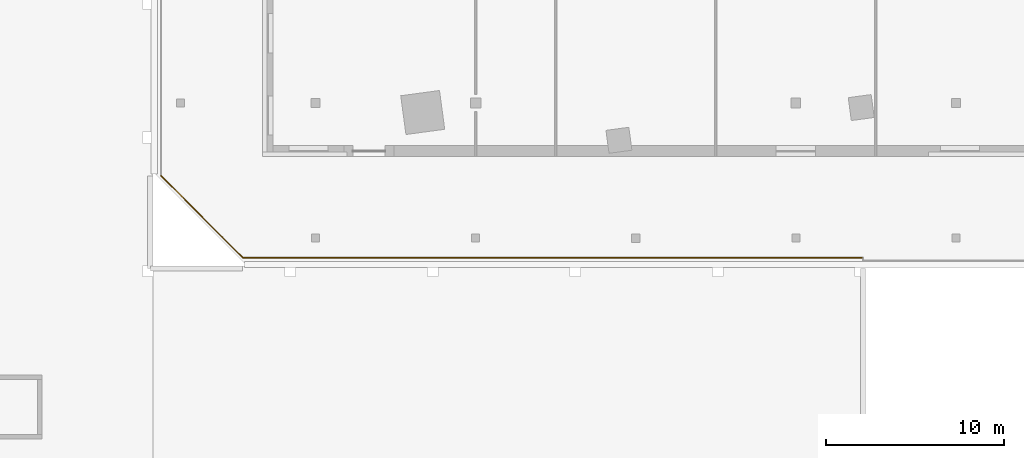
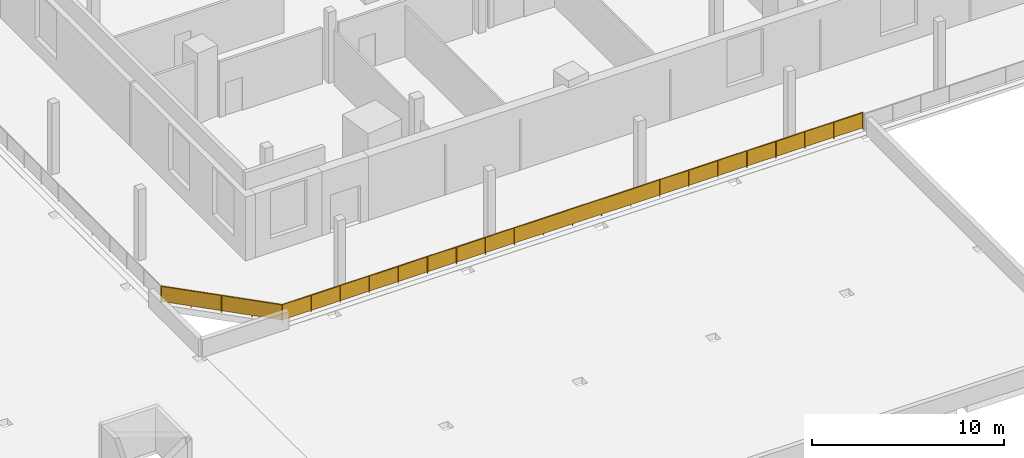
# One storey, part 9 of 12: 2 railings.
"""IFC4 building model written with IfcOpenShell, lengths in metres."""

from ifc_helpers import new_model, si_unit, direction, frame, origin, origin_2d, place, context, subcontext, project, spatial, rectangle, circle, extrude, material, type_object, element, save


model = new_model("IFC4")

# Units and contexts
model_context = context("Model", 3, precision=1e-05, world=origin(), true_north=direction((0.0, 1.0)))
body_context = subcontext(model_context, "Body", "Model", "MODEL_VIEW")
ifc_project = project(units=[si_unit("LENGTHUNIT", "METRE"), si_unit("AREAUNIT", "SQUARE_METRE"), si_unit("VOLUMEUNIT", "CUBIC_METRE"), si_unit("PLANEANGLEUNIT", "RADIAN"), si_unit("MASSUNIT", "GRAM", prefix="KILO")], contexts=[model_context])

# Site, building, storey
site_placement = place(None, origin())
site = spatial("IfcSite", under=ifc_project, at=site_placement, CompositionType="ELEMENT")
building_placement = place(site_placement, origin())
building = spatial("IfcBuilding", under=site, at=building_placement, Name="Dilmun Exchange Tower", CompositionType="ELEMENT")
storey_placement = place(building_placement, frame((0.0, 0.0, 18.0)))
storey = spatial("IfcBuildingStorey", under=building, at=storey_placement, Name="L04", CompositionType="ELEMENT", Elevation=18.0)

# Railings
ifc_material = material(Name="Stainless steel", Category="steel")
railing_type = type_object("IfcRailingType", Name="Terrace guard 1100 stainless steel", PredefinedType="GUARDRAIL", material=ifc_material)
railing_1_placement = place(storey_placement, frame((-31.087890625, -35.699951171875, 0.0)))
element("IfcRailing", 1, at=railing_1_placement, inside=storey, type_object=railing_type, Name="Podium terrace guard 1", PredefinedType="GUARDRAIL", context=body_context, shape_type="SweptSolid", body=[
    extrude(circle(Radius=0.02392578125, at=origin_2d()), frame((0.0, 0.0, 1.076171875), z_axis=(1.0, 0.0, 0.0), x_axis=(0.0, 1.0, 0.0)), (0.0, 0.0, 1.0), 34.870849609375),
    extrude(rectangle(XDim=0.011962890625, YDim=0.951904296875, at=origin_2d()), frame((0.0, 0.0, 0.576171875), z_axis=(1.0, 0.0, 0.0), x_axis=(0.0, 1.0, 0.0)), (0.0, 0.0, 1.0), 34.870849609375),
    extrude(circle(Radius=0.02099609375, at=origin_2d()), origin(), (0.0, 0.0, 1.0), 1.052001953125),
    extrude(circle(Radius=0.02099609375, at=origin_2d()), frame((1.74365234375, 0.0, 0.0)), (0.0, 0.0, 1.0), 1.052001953125),
    extrude(circle(Radius=0.02099609375, at=origin_2d()), frame((3.487060546875, 0.0, 0.0)), (0.0, 0.0, 1.0), 1.052001953125),
    extrude(circle(Radius=0.02099609375, at=origin_2d()), frame((5.230712890625, 0.0, 0.0)), (0.0, 0.0, 1.0), 1.052001953125),
    extrude(circle(Radius=0.02099609375, at=origin_2d()), frame((6.97412109375, 0.0, 0.0)), (0.0, 0.0, 1.0), 1.052001953125),
    extrude(circle(Radius=0.02099609375, at=origin_2d()), frame((8.7177734375, 0.0, 0.0)), (0.0, 0.0, 1.0), 1.052001953125),
    extrude(circle(Radius=0.02099609375, at=origin_2d()), frame((10.461181640625, 0.0, 0.0)), (0.0, 0.0, 1.0), 1.052001953125),
    extrude(circle(Radius=0.02099609375, at=origin_2d()), frame((12.204833984375, 0.0, 0.0)), (0.0, 0.0, 1.0), 1.052001953125),
    extrude(circle(Radius=0.02099609375, at=origin_2d()), frame((13.9482421875, 0.0, 0.0)), (0.0, 0.0, 1.0), 1.052001953125),
    extrude(circle(Radius=0.02099609375, at=origin_2d()), frame((15.69189453125, 0.0, 0.0)), (0.0, 0.0, 1.0), 1.052001953125),
    extrude(circle(Radius=0.02099609375, at=origin_2d()), frame((17.435546875, 0.0, 0.0)), (0.0, 0.0, 1.0), 1.052001953125),
    extrude(circle(Radius=0.02099609375, at=origin_2d()), frame((19.178955078125, 0.0, 0.0)), (0.0, 0.0, 1.0), 1.052001953125),
    extrude(circle(Radius=0.02099609375, at=origin_2d()), frame((20.922607421875, 0.0, 0.0)), (0.0, 0.0, 1.0), 1.052001953125),
    extrude(circle(Radius=0.02099609375, at=origin_2d()), frame((22.666015625, 0.0, 0.0)), (0.0, 0.0, 1.0), 1.052001953125),
    extrude(circle(Radius=0.02099609375, at=origin_2d()), frame((24.40966796875, 0.0, 0.0)), (0.0, 0.0, 1.0), 1.052001953125),
    extrude(circle(Radius=0.02099609375, at=origin_2d()), frame((26.153076171875, 0.0, 0.0)), (0.0, 0.0, 1.0), 1.052001953125),
    extrude(circle(Radius=0.02099609375, at=origin_2d()), frame((27.896728515625, 0.0, 0.0)), (0.0, 0.0, 1.0), 1.052001953125),
    extrude(circle(Radius=0.02099609375, at=origin_2d()), frame((29.64013671875, 0.0, 0.0)), (0.0, 0.0, 1.0), 1.052001953125),
    extrude(circle(Radius=0.02099609375, at=origin_2d()), frame((31.3837890625, 0.0, 0.0)), (0.0, 0.0, 1.0), 1.052001953125),
    extrude(circle(Radius=0.02099609375, at=origin_2d()), frame((33.127197265625, 0.0, 0.0)), (0.0, 0.0, 1.0), 1.052001953125),
    extrude(circle(Radius=0.02099609375, at=origin_2d()), frame((34.870849609375, 0.0, 0.0)), (0.0, 0.0, 1.0), 1.052001953125),
])
railing_2_placement = place(storey_placement, frame((-35.699951171875, -31.087890625, 0.0)))
element("IfcRailing", 2, at=railing_2_placement, inside=storey, type_object=railing_type, Name="Podium terrace guard 10", PredefinedType="GUARDRAIL", context=body_context, shape_type="SweptSolid", body=[
    extrude(circle(Radius=0.02392578125, at=origin_2d()), frame((0.0, 0.0, 1.076171875), z_axis=(0.707106781187, -0.707106781187, 0.0), x_axis=(0.707106781187, 0.707106781187, 0.0)), (0.0, 0.0, 1.0), 6.5224609375),
    extrude(rectangle(XDim=0.011962890625, YDim=0.951904296875, at=origin_2d()), frame((0.0, 0.0, 0.576171875), z_axis=(0.707106781187, -0.707106781187, 0.0), x_axis=(0.707106781187, 0.707106781187, 0.0)), (0.0, 0.0, 1.0), 6.5224609375),
    extrude(circle(Radius=0.02099609375, at=origin_2d()), origin(), (0.0, 0.0, 1.0), 1.052001953125),
    extrude(circle(Radius=0.02099609375, at=origin_2d()), frame((1.153076171875, -1.153076171875, 0.0)), (0.0, 0.0, 1.0), 1.052001953125),
    extrude(circle(Radius=0.02099609375, at=origin_2d()), frame((2.30615234375, -2.30615234375, 0.0)), (0.0, 0.0, 1.0), 1.052001953125),
    extrude(circle(Radius=0.02099609375, at=origin_2d()), frame((3.458984375, -3.458984375, 0.0)), (0.0, 0.0, 1.0), 1.052001953125),
    extrude(circle(Radius=0.02099609375, at=origin_2d()), frame((4.612060546875, -4.612060546875, 0.0)), (0.0, 0.0, 1.0), 1.052001953125),
])

save(model, "model.ifc")
